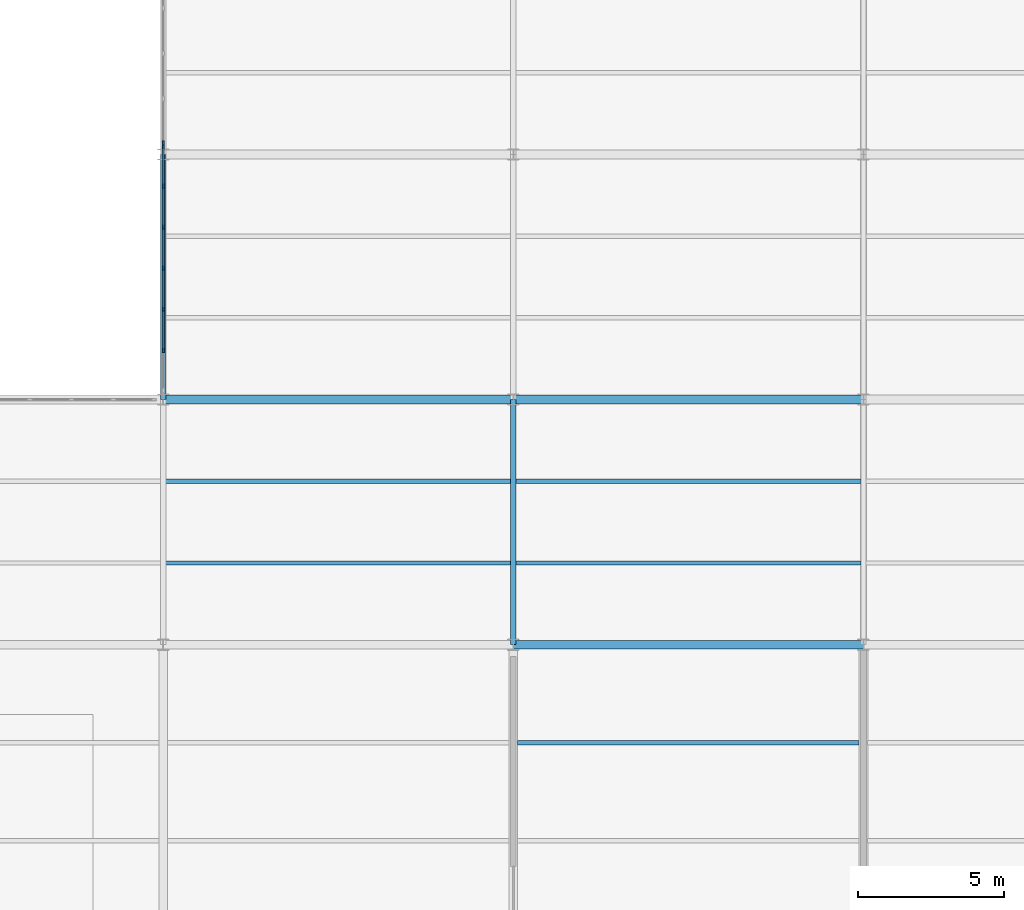
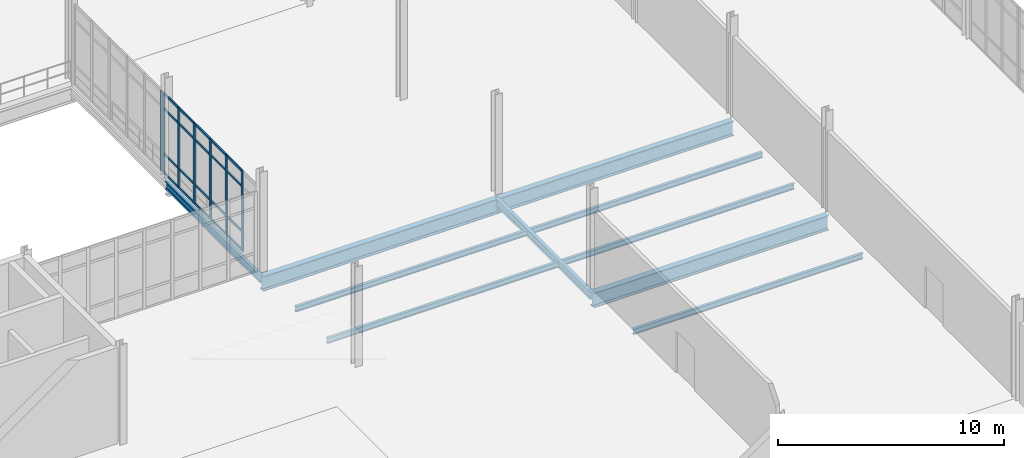
# One storey, part 66 of 111: 27 members, 10 beams, 2 elements without a shape of their own.
"""IFC4 building model written with IfcOpenShell, lengths in metres."""

from ifc_helpers import new_model, si_unit, direction, frame, origin, origin_2d, place, context, subcontext, project, spatial, rectangle, i_section, extrude, material, layer, layer_set, material_profile, profile_set, type_object, element, aggregate, save


model = new_model("IFC4")

# Units and contexts
model_context = context("Model", 3, precision=1e-05, world=origin(), true_north=direction((0.0, 1.0)))
body_context = subcontext(model_context, "Body", "Model", "MODEL_VIEW")
ifc_project = project(units=[si_unit("LENGTHUNIT", "METRE"), si_unit("AREAUNIT", "SQUARE_METRE"), si_unit("VOLUMEUNIT", "CUBIC_METRE"), si_unit("PLANEANGLEUNIT", "RADIAN"), si_unit("MASSUNIT", "GRAM", prefix="KILO"), si_unit("THERMODYNAMICTEMPERATUREUNIT", "KELVIN"), si_unit("POWERUNIT", "WATT")], contexts=[model_context])

# Site, building, storey
site_placement = place(None, origin())
site = spatial("IfcSite", under=ifc_project, at=site_placement, CompositionType="ELEMENT")
building_placement = place(site_placement, origin())
building = spatial("IfcBuilding", under=site, at=building_placement, Name="Tembeka Court Mobility Hub", CompositionType="ELEMENT")
storey_placement = place(building_placement, origin())
storey = spatial("IfcBuildingStorey", under=building, at=storey_placement, Name="L00", CompositionType="ELEMENT", Elevation=0.0)

# Beams
ifc_material_1 = material(Name="Steel S355", Category="steel")
ifc_material_profile_1 = material_profile(ifc_material_1, i_section(OverallWidth=0.177978515625, OverallDepth=0.406005859375, WebThickness=0.0078125, FlangeThickness=0.0126953125, FilletRadius=0.01025390625, at=origin_2d()), Name="UKB 406x178x60")
ifc_profile_set_1 = profile_set([ifc_material_profile_1], Name="Steel S355")
beam_type_1 = type_object("IfcBeamType", Name="BM-B02", PredefinedType="BEAM", material=ifc_profile_set_1)
beam_1_placement = place(storey_placement, frame((140.39990234375, 46.800048828125, -0.48291015625), z_axis=(0.0, 1.0, 0.0), x_axis=(-1.0, 0.0, 0.0)))
element("IfcBeam", 1, at=beam_1_placement, inside=storey, type_object=beam_type_1, Name="Beam B02 (BM-L00-Y0296)", PredefinedType="BEAM", context=body_context, shape_type="SweptSolid", body=[
    extrude(i_section(OverallWidth=0.177978515625, OverallDepth=0.406005859375, WebThickness=0.0078125, FlangeThickness=0.0126953125, FilletRadius=0.01025390625, at=origin_2d()), origin(), (0.0, 0.0, 1.0), 8.39990234375),
])
beam_2_placement = place(storey_placement, frame((152.39990234375, 38.39990234375, -0.48291015625), z_axis=(0.0, 1.0, 0.0), x_axis=(-1.0, 0.0, 0.0)))
element("IfcBeam", 2, at=beam_2_placement, inside=storey, type_object=beam_type_1, Name="Beam B02 (BM-L00-Y0304)", PredefinedType="BEAM", context=body_context, shape_type="SweptSolid", body=[
    extrude(i_section(OverallWidth=0.177978515625, OverallDepth=0.406005859375, WebThickness=0.0078125, FlangeThickness=0.0126953125, FilletRadius=0.01025390625, at=origin_2d()), origin(), (0.0, 0.0, 1.0), 8.400146484375),
])
ifc_material_profile_2 = material_profile(ifc_material_1, i_section(OverallWidth=0.300048828125, OverallDepth=0.800048828125, WebThickness=0.017578125, FlangeThickness=0.034912109375, FilletRadius=0.030029296875, at=origin_2d()), Name="HEB 800")
ifc_profile_set_2 = profile_set([ifc_material_profile_2], Name="Steel S355")
beam_type_2 = type_object("IfcBeamType", Name="BM-G04", PredefinedType="USERDEFINED", material=ifc_profile_set_2)
for number, where, z_axis, x_axis, name in (
    (3, (152.39990234375, 38.39990234375, -0.679931640625), (1.0, 0.0, 0.0), (0.0, 1.0, 0.0), "Beam G04 (BM-L00-X0057)"),
    (4, (140.39990234375, 46.800048828125, -0.679931640625), (1.0, 0.0, 0.0), (0.0, 1.0, 0.0), "Beam G04 (BM-L00-X0072)"),
    (5, (152.39990234375, 46.800048828125, -0.679931640625), (1.0, 0.0, 0.0), (0.0, 1.0, 0.0), "Beam G04 (BM-L00-X0073)"),
):
    element("IfcBeam", number, at=place(storey_placement, frame(where, z_axis=z_axis, x_axis=x_axis)), inside=storey, type_object=beam_type_2, Name=name, ObjectType="GIRDER", PredefinedType="USERDEFINED", context=body_context, shape_type="SweptSolid", body=[
        extrude(i_section(OverallWidth=0.300048828125, OverallDepth=0.800048828125, WebThickness=0.017578125, FlangeThickness=0.034912109375, FilletRadius=0.030029296875, at=origin_2d()), origin(), (0.0, 0.0, 1.0), 12.0),
    ])
ifc_material_profile_3 = material_profile(ifc_material_1, i_section(OverallWidth=0.14990234375, OverallDepth=0.300048828125, WebThickness=0.007080078125, FlangeThickness=0.0107421875, FilletRadius=0.014892578125, at=origin_2d()), Name="IPE 300")
ifc_profile_set_3 = profile_set([ifc_material_profile_3], Name="Steel S355")
beam_type_3 = type_object("IfcBeamType", Name="BM-J04", PredefinedType="JOIST", material=ifc_profile_set_3)
for number, where, z_axis, x_axis, name in (
    (6, (140.48388671875, 41.199951171875, -0.429931640625), (1.0, 0.0, 0.0), (0.0, 1.0, 0.0), "Beam J04 (JST-L00-0560)"),
    (7, (140.48388671875, 44.0, -0.429931640625), (1.0, 0.0, 0.0), (0.0, 1.0, 0.0), "Beam J04 (JST-L00-0561)"),
):
    element("IfcBeam", number, at=place(storey_placement, frame(where, z_axis=z_axis, x_axis=x_axis)), inside=storey, type_object=beam_type_3, Name=name, PredefinedType="JOIST", context=body_context, shape_type="SweptSolid", body=[
        extrude(i_section(OverallWidth=0.14990234375, OverallDepth=0.300048828125, WebThickness=0.007080078125, FlangeThickness=0.0107421875, FilletRadius=0.014892578125, at=origin_2d()), origin(), (0.0, 0.0, 1.0), 11.83203125),
    ])
beam_3_placement = place(storey_placement, frame((152.544921875, 35.0400390625, -0.429931640625), z_axis=(1.0, 0.0, 0.0), x_axis=(0.0, 1.0, 0.0)))
element("IfcBeam", 8, at=beam_3_placement, inside=storey, type_object=beam_type_3, Name="Beam J04 (JST-L00-0577)", PredefinedType="JOIST", context=body_context, shape_type="SweptSolid", body=[
    extrude(i_section(OverallWidth=0.14990234375, OverallDepth=0.300048828125, WebThickness=0.007080078125, FlangeThickness=0.0107421875, FilletRadius=0.014892578125, at=origin_2d()), origin(), (0.0, 0.0, 1.0), 11.7099609375),
])
for number, where, z_axis, x_axis, name in (
    (9, (152.48388671875, 41.199951171875, -0.429931640625), (1.0, 0.0, 0.0), (0.0, 1.0, 0.0), "Beam J04 (JST-L00-0578)"),
    (10, (152.48388671875, 44.0, -0.429931640625), (1.0, 0.0, 0.0), (0.0, 1.0, 0.0), "Beam J04 (JST-L00-0579)"),
):
    element("IfcBeam", number, at=place(storey_placement, frame(where, z_axis=z_axis, x_axis=x_axis)), inside=storey, type_object=beam_type_3, Name=name, PredefinedType="JOIST", context=body_context, shape_type="SweptSolid", body=[
        extrude(i_section(OverallWidth=0.14990234375, OverallDepth=0.300048828125, WebThickness=0.007080078125, FlangeThickness=0.0107421875, FilletRadius=0.014892578125, at=origin_2d()), origin(), (0.0, 0.0, 1.0), 11.83203125),
    ])

# Curtain wall, members
ifc_material_2 = material(Name="Anodised aluminium 6063-T6", Category="aluminium")
ifc_layer_1 = layer(ifc_material_2, 0.159912109375)
ifc_layer_set_1 = layer_set([ifc_layer_1], Name="Anodised aluminium 6063-T6")
curtain_wall_type_1 = type_object("IfcCurtainWallType", Name="CW-SYS34", PredefinedType="USERDEFINED", material=ifc_layer_set_1)
curtain_wall_1_placement = place(storey_placement, origin())
curtain_wall_1 = element("IfcCurtainWall", 11, at=curtain_wall_1_placement, inside=storey, type_object=curtain_wall_type_1, Name="Unitised curtain wall CW34 (CW-L00-102)", ObjectType="UNITISED GLAZING", PredefinedType="USERDEFINED")
ifc_material_profile_4 = material_profile(ifc_material_2, rectangle(XDim=0.06494140625, YDim=0.159912109375, at=origin_2d()), Name="ALU-MUL 65x160")
ifc_profile_set_4 = profile_set([ifc_material_profile_4], Name="Anodised aluminium 6063-T6")
member_type_1 = type_object("IfcMemberType", Name="CW-MUL01", PredefinedType="MULLION", material=ifc_profile_set_4)
member_1_placement = place(storey_placement, frame((140.39990234375, 48.486083984375, 0.0), z_axis=(0.0, 0.0, 1.0), x_axis=(-1.0, 0.0, 0.0)))
member_1 = element("IfcMember", 12, at=member_1_placement, type_object=member_type_1, Name="CW34 mullion 2", PredefinedType="MULLION", context=body_context, shape_type="SweptSolid", body=[
    extrude(rectangle(XDim=0.06494140625, YDim=0.159912109375, at=origin_2d()), origin(), (0.0, 0.0, 1.0), 4.3349609375),
])
member_2_placement = place(storey_placement, frame((140.39990234375, 49.89208984375, 0.0), z_axis=(0.0, 0.0, 1.0), x_axis=(-1.0, 0.0, 0.0)))
member_2 = element("IfcMember", 13, at=member_2_placement, type_object=member_type_1, Name="CW34 mullion 3", PredefinedType="MULLION", context=body_context, shape_type="SweptSolid", body=[
    extrude(rectangle(XDim=0.06494140625, YDim=0.159912109375, at=origin_2d()), origin(), (0.0, 0.0, 1.0), 4.3349609375),
])
member_3_placement = place(storey_placement, frame((140.39990234375, 51.298095703125, 0.0), z_axis=(0.0, 0.0, 1.0), x_axis=(-1.0, 0.0, 0.0)))
member_3 = element("IfcMember", 14, at=member_3_placement, type_object=member_type_1, Name="CW34 mullion 4", PredefinedType="MULLION", context=body_context, shape_type="SweptSolid", body=[
    extrude(rectangle(XDim=0.06494140625, YDim=0.159912109375, at=origin_2d()), origin(), (0.0, 0.0, 1.0), 4.3349609375),
])
member_4_placement = place(storey_placement, frame((140.39990234375, 52.7041015625, 0.0), z_axis=(0.0, 0.0, 1.0), x_axis=(-1.0, 0.0, 0.0)))
member_4 = element("IfcMember", 15, at=member_4_placement, type_object=member_type_1, Name="CW34 mullion 5", PredefinedType="MULLION", context=body_context, shape_type="SweptSolid", body=[
    extrude(rectangle(XDim=0.06494140625, YDim=0.159912109375, at=origin_2d()), origin(), (0.0, 0.0, 1.0), 4.3349609375),
])
member_5_placement = place(storey_placement, frame((140.39990234375, 54.110107421875, 0.0), z_axis=(0.0, 0.0, 1.0), x_axis=(-1.0, 0.0, 0.0)))
member_5 = element("IfcMember", 16, at=member_5_placement, type_object=member_type_1, Name="CW34 mullion 6", PredefinedType="MULLION", context=body_context, shape_type="SweptSolid", body=[
    extrude(rectangle(XDim=0.06494140625, YDim=0.159912109375, at=origin_2d()), origin(), (0.0, 0.0, 1.0), 4.3349609375),
])
member_6_placement = place(storey_placement, frame((140.39990234375, 55.4833984375, 0.0), z_axis=(0.0, 0.0, 1.0), x_axis=(-1.0, 0.0, 0.0)))
member_6 = element("IfcMember", 17, at=member_6_placement, type_object=member_type_1, Name="CW34 mullion 7", PredefinedType="MULLION", context=body_context, shape_type="SweptSolid", body=[
    extrude(rectangle(XDim=0.06494140625, YDim=0.159912109375, at=origin_2d()), origin(), (0.0, 0.0, 1.0), 4.3349609375),
])

# Curtain wall, member
ifc_layer_2 = layer(ifc_material_2, 0.159912109375)
ifc_layer_set_2 = layer_set([ifc_layer_2], Name="Anodised aluminium 6063-T6")
curtain_wall_type_2 = type_object("IfcCurtainWallType", Name="CW-SYS35", PredefinedType="USERDEFINED", material=ifc_layer_set_2)
curtain_wall_2_placement = place(storey_placement, origin())
curtain_wall_2 = element("IfcCurtainWall", 18, at=curtain_wall_2_placement, inside=storey, type_object=curtain_wall_type_2, Name="Unitised curtain wall CW35 (CW-L00-103)", ObjectType="UNITISED GLAZING", PredefinedType="USERDEFINED")
member_7_placement = place(storey_placement, frame((140.39990234375, 55.58837890625, 0.0), z_axis=(0.0, 0.0, 1.0), x_axis=(-1.0, 0.0, 0.0)))
member_7 = element("IfcMember", 19, at=member_7_placement, type_object=member_type_1, Name="CW35 mullion 1", PredefinedType="MULLION", context=body_context, shape_type="SweptSolid", body=[
    extrude(rectangle(XDim=0.06494140625, YDim=0.159912109375, at=origin_2d()), origin(), (0.0, 0.0, 1.0), 4.3349609375),
])
aggregate(curtain_wall_2, [member_7])

# Member
ifc_material_profile_5 = material_profile(ifc_material_2, rectangle(XDim=0.06494140625, YDim=0.1201171875, at=origin_2d()), Name="ALU-TRN 65x120")
ifc_profile_set_5 = profile_set([ifc_material_profile_5], Name="Anodised aluminium 6063-T6")
member_type_2 = type_object("IfcMemberType", Name="CW-TRN01", PredefinedType="USERDEFINED", material=ifc_profile_set_5)
member_8_placement = place(storey_placement, frame((140.39990234375, 48.5185546875, 0.032470703125), z_axis=(0.0, 1.0, 0.0), x_axis=(-1.0, 0.0, 0.0)))
member_8 = element("IfcMember", 20, at=member_8_placement, type_object=member_type_2, Name="CW34 transom 2.1", ObjectType="TRANSOM", PredefinedType="USERDEFINED", context=body_context, shape_type="SweptSolid", body=[
    extrude(rectangle(XDim=0.06494140625, YDim=0.1201171875, at=origin_2d()), origin(), (0.0, 0.0, 1.0), 1.341064453125),
])

member_9_placement = place(storey_placement, frame((140.39990234375, 48.5185546875, 1.050048828125), z_axis=(0.0, 1.0, 0.0), x_axis=(-1.0, 0.0, 0.0)))
member_9 = element("IfcMember", 21, at=member_9_placement, type_object=member_type_2, Name="CW34 transom 2.2", ObjectType="TRANSOM", PredefinedType="USERDEFINED", context=body_context, shape_type="SweptSolid", body=[
    extrude(rectangle(XDim=0.06494140625, YDim=0.1201171875, at=origin_2d()), origin(), (0.0, 0.0, 1.0), 1.341064453125),
])

member_10_placement = place(storey_placement, frame((140.39990234375, 48.5185546875, 3.485107421875), z_axis=(0.0, 1.0, 0.0), x_axis=(-1.0, 0.0, 0.0)))
member_10 = element("IfcMember", 22, at=member_10_placement, type_object=member_type_2, Name="CW34 transom 2.3", ObjectType="TRANSOM", PredefinedType="USERDEFINED", context=body_context, shape_type="SweptSolid", body=[
    extrude(rectangle(XDim=0.06494140625, YDim=0.1201171875, at=origin_2d()), origin(), (0.0, 0.0, 1.0), 1.341064453125),
])

member_11_placement = place(storey_placement, frame((140.39990234375, 48.5185546875, 4.302490234375), z_axis=(0.0, 1.0, 0.0), x_axis=(-1.0, 0.0, 0.0)))
member_11 = element("IfcMember", 23, at=member_11_placement, type_object=member_type_2, Name="CW34 transom 2.4", ObjectType="TRANSOM", PredefinedType="USERDEFINED", context=body_context, shape_type="SweptSolid", body=[
    extrude(rectangle(XDim=0.06494140625, YDim=0.1201171875, at=origin_2d()), origin(), (0.0, 0.0, 1.0), 1.341064453125),
])

member_12_placement = place(storey_placement, frame((140.39990234375, 49.924560546875, 0.032470703125), z_axis=(0.0, 1.0, 0.0), x_axis=(-1.0, 0.0, 0.0)))
member_12 = element("IfcMember", 24, at=member_12_placement, type_object=member_type_2, Name="CW34 transom 3.1", ObjectType="TRANSOM", PredefinedType="USERDEFINED", context=body_context, shape_type="SweptSolid", body=[
    extrude(rectangle(XDim=0.06494140625, YDim=0.1201171875, at=origin_2d()), origin(), (0.0, 0.0, 1.0), 1.3408203125),
])

member_13_placement = place(storey_placement, frame((140.39990234375, 49.924560546875, 1.050048828125), z_axis=(0.0, 1.0, 0.0), x_axis=(-1.0, 0.0, 0.0)))
member_13 = element("IfcMember", 25, at=member_13_placement, type_object=member_type_2, Name="CW34 transom 3.2", ObjectType="TRANSOM", PredefinedType="USERDEFINED", context=body_context, shape_type="SweptSolid", body=[
    extrude(rectangle(XDim=0.06494140625, YDim=0.1201171875, at=origin_2d()), origin(), (0.0, 0.0, 1.0), 1.3408203125),
])

member_14_placement = place(storey_placement, frame((140.39990234375, 49.924560546875, 3.485107421875), z_axis=(0.0, 1.0, 0.0), x_axis=(-1.0, 0.0, 0.0)))
member_14 = element("IfcMember", 26, at=member_14_placement, type_object=member_type_2, Name="CW34 transom 3.3", ObjectType="TRANSOM", PredefinedType="USERDEFINED", context=body_context, shape_type="SweptSolid", body=[
    extrude(rectangle(XDim=0.06494140625, YDim=0.1201171875, at=origin_2d()), origin(), (0.0, 0.0, 1.0), 1.3408203125),
])

member_15_placement = place(storey_placement, frame((140.39990234375, 49.924560546875, 4.302490234375), z_axis=(0.0, 1.0, 0.0), x_axis=(-1.0, 0.0, 0.0)))
member_15 = element("IfcMember", 27, at=member_15_placement, type_object=member_type_2, Name="CW34 transom 3.4", ObjectType="TRANSOM", PredefinedType="USERDEFINED", context=body_context, shape_type="SweptSolid", body=[
    extrude(rectangle(XDim=0.06494140625, YDim=0.1201171875, at=origin_2d()), origin(), (0.0, 0.0, 1.0), 1.3408203125),
])

member_16_placement = place(storey_placement, frame((140.39990234375, 51.33056640625, 0.032470703125), z_axis=(0.0, 1.0, 0.0), x_axis=(-1.0, 0.0, 0.0)))
member_16 = element("IfcMember", 28, at=member_16_placement, type_object=member_type_2, Name="CW34 transom 4.1", ObjectType="TRANSOM", PredefinedType="USERDEFINED", context=body_context, shape_type="SweptSolid", body=[
    extrude(rectangle(XDim=0.06494140625, YDim=0.1201171875, at=origin_2d()), origin(), (0.0, 0.0, 1.0), 1.3408203125),
])

member_17_placement = place(storey_placement, frame((140.39990234375, 51.33056640625, 1.050048828125), z_axis=(0.0, 1.0, 0.0), x_axis=(-1.0, 0.0, 0.0)))
member_17 = element("IfcMember", 29, at=member_17_placement, type_object=member_type_2, Name="CW34 transom 4.2", ObjectType="TRANSOM", PredefinedType="USERDEFINED", context=body_context, shape_type="SweptSolid", body=[
    extrude(rectangle(XDim=0.06494140625, YDim=0.1201171875, at=origin_2d()), origin(), (0.0, 0.0, 1.0), 1.3408203125),
])

member_18_placement = place(storey_placement, frame((140.39990234375, 51.33056640625, 3.485107421875), z_axis=(0.0, 1.0, 0.0), x_axis=(-1.0, 0.0, 0.0)))
member_18 = element("IfcMember", 30, at=member_18_placement, type_object=member_type_2, Name="CW34 transom 4.3", ObjectType="TRANSOM", PredefinedType="USERDEFINED", context=body_context, shape_type="SweptSolid", body=[
    extrude(rectangle(XDim=0.06494140625, YDim=0.1201171875, at=origin_2d()), origin(), (0.0, 0.0, 1.0), 1.3408203125),
])

member_19_placement = place(storey_placement, frame((140.39990234375, 51.33056640625, 4.302490234375), z_axis=(0.0, 1.0, 0.0), x_axis=(-1.0, 0.0, 0.0)))
member_19 = element("IfcMember", 31, at=member_19_placement, type_object=member_type_2, Name="CW34 transom 4.4", ObjectType="TRANSOM", PredefinedType="USERDEFINED", context=body_context, shape_type="SweptSolid", body=[
    extrude(rectangle(XDim=0.06494140625, YDim=0.1201171875, at=origin_2d()), origin(), (0.0, 0.0, 1.0), 1.3408203125),
])

member_20_placement = place(storey_placement, frame((140.39990234375, 52.736572265625, 0.032470703125), z_axis=(0.0, 1.0, 0.0), x_axis=(-1.0, 0.0, 0.0)))
member_20 = element("IfcMember", 32, at=member_20_placement, type_object=member_type_2, Name="CW34 transom 5.1", ObjectType="TRANSOM", PredefinedType="USERDEFINED", context=body_context, shape_type="SweptSolid", body=[
    extrude(rectangle(XDim=0.06494140625, YDim=0.1201171875, at=origin_2d()), origin(), (0.0, 0.0, 1.0), 1.3408203125),
])

member_21_placement = place(storey_placement, frame((140.39990234375, 52.736572265625, 1.050048828125), z_axis=(0.0, 1.0, 0.0), x_axis=(-1.0, 0.0, 0.0)))
member_21 = element("IfcMember", 33, at=member_21_placement, type_object=member_type_2, Name="CW34 transom 5.2", ObjectType="TRANSOM", PredefinedType="USERDEFINED", context=body_context, shape_type="SweptSolid", body=[
    extrude(rectangle(XDim=0.06494140625, YDim=0.1201171875, at=origin_2d()), origin(), (0.0, 0.0, 1.0), 1.3408203125),
])

member_22_placement = place(storey_placement, frame((140.39990234375, 52.736572265625, 3.485107421875), z_axis=(0.0, 1.0, 0.0), x_axis=(-1.0, 0.0, 0.0)))
member_22 = element("IfcMember", 34, at=member_22_placement, type_object=member_type_2, Name="CW34 transom 5.3", ObjectType="TRANSOM", PredefinedType="USERDEFINED", context=body_context, shape_type="SweptSolid", body=[
    extrude(rectangle(XDim=0.06494140625, YDim=0.1201171875, at=origin_2d()), origin(), (0.0, 0.0, 1.0), 1.3408203125),
])

member_23_placement = place(storey_placement, frame((140.39990234375, 52.736572265625, 4.302490234375), z_axis=(0.0, 1.0, 0.0), x_axis=(-1.0, 0.0, 0.0)))
member_23 = element("IfcMember", 35, at=member_23_placement, type_object=member_type_2, Name="CW34 transom 5.4", ObjectType="TRANSOM", PredefinedType="USERDEFINED", context=body_context, shape_type="SweptSolid", body=[
    extrude(rectangle(XDim=0.06494140625, YDim=0.1201171875, at=origin_2d()), origin(), (0.0, 0.0, 1.0), 1.3408203125),
])

member_24_placement = place(storey_placement, frame((140.39990234375, 54.142578125, 0.032470703125), z_axis=(0.0, 1.0, 0.0), x_axis=(-1.0, 0.0, 0.0)))
member_24 = element("IfcMember", 36, at=member_24_placement, type_object=member_type_2, Name="CW34 transom 6.1", ObjectType="TRANSOM", PredefinedType="USERDEFINED", context=body_context, shape_type="SweptSolid", body=[
    extrude(rectangle(XDim=0.06494140625, YDim=0.1201171875, at=origin_2d()), origin(), (0.0, 0.0, 1.0), 1.308349609375),
])

member_25_placement = place(storey_placement, frame((140.39990234375, 54.142578125, 1.050048828125), z_axis=(0.0, 1.0, 0.0), x_axis=(-1.0, 0.0, 0.0)))
member_25 = element("IfcMember", 37, at=member_25_placement, type_object=member_type_2, Name="CW34 transom 6.2", ObjectType="TRANSOM", PredefinedType="USERDEFINED", context=body_context, shape_type="SweptSolid", body=[
    extrude(rectangle(XDim=0.06494140625, YDim=0.1201171875, at=origin_2d()), origin(), (0.0, 0.0, 1.0), 1.308349609375),
])

member_26_placement = place(storey_placement, frame((140.39990234375, 54.142578125, 3.485107421875), z_axis=(0.0, 1.0, 0.0), x_axis=(-1.0, 0.0, 0.0)))
member_26 = element("IfcMember", 38, at=member_26_placement, type_object=member_type_2, Name="CW34 transom 6.3", ObjectType="TRANSOM", PredefinedType="USERDEFINED", context=body_context, shape_type="SweptSolid", body=[
    extrude(rectangle(XDim=0.06494140625, YDim=0.1201171875, at=origin_2d()), origin(), (0.0, 0.0, 1.0), 1.308349609375),
])

member_27_placement = place(storey_placement, frame((140.39990234375, 54.142578125, 4.302490234375), z_axis=(0.0, 1.0, 0.0), x_axis=(-1.0, 0.0, 0.0)))
member_27 = element("IfcMember", 39, at=member_27_placement, type_object=member_type_2, Name="CW34 transom 6.4", ObjectType="TRANSOM", PredefinedType="USERDEFINED", context=body_context, shape_type="SweptSolid", body=[
    extrude(rectangle(XDim=0.06494140625, YDim=0.1201171875, at=origin_2d()), origin(), (0.0, 0.0, 1.0), 1.308349609375),
])

aggregate(curtain_wall_1, [member_1, member_2, member_3, member_4, member_5, member_6, member_8, member_9, member_10, member_11, member_12, member_13, member_14, member_15, member_16, member_17, member_18, member_19, member_20, member_21, member_22, member_23, member_24, member_25, member_26, member_27])

save(model, "model.ifc")
